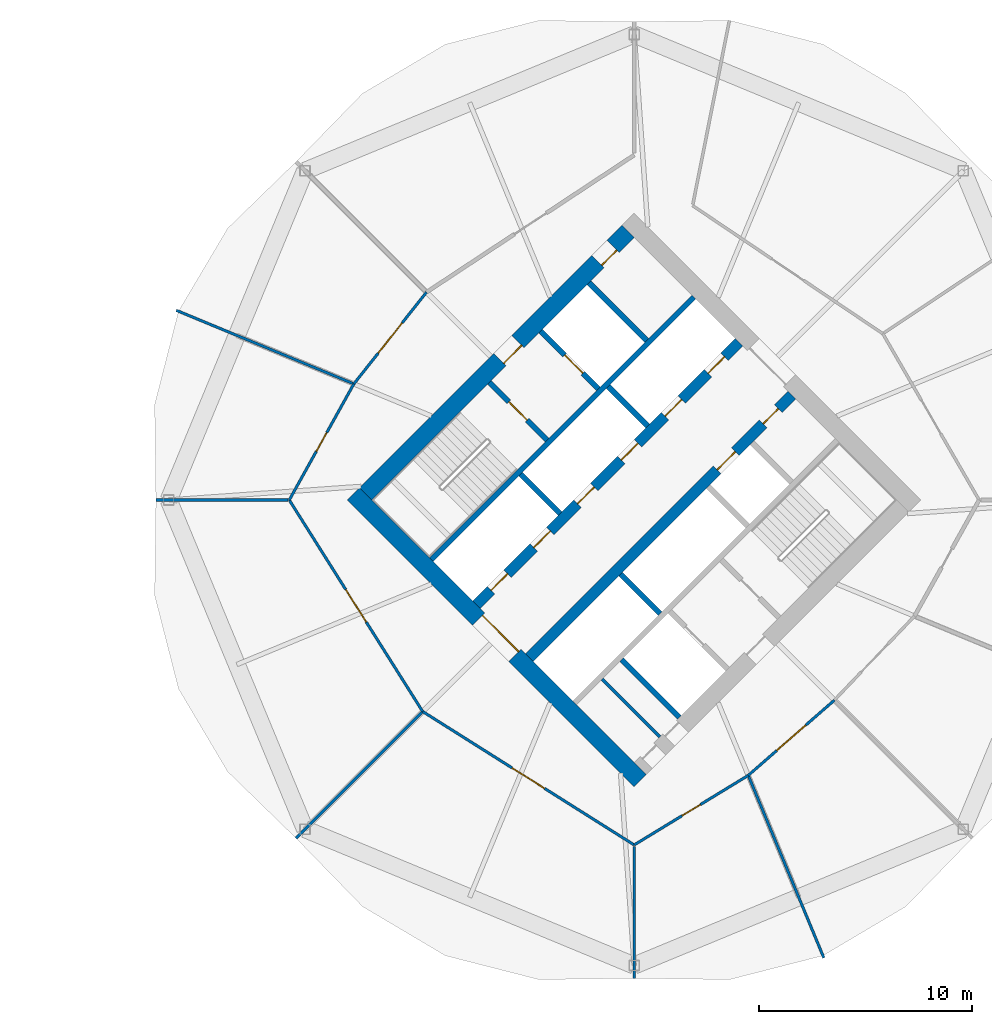
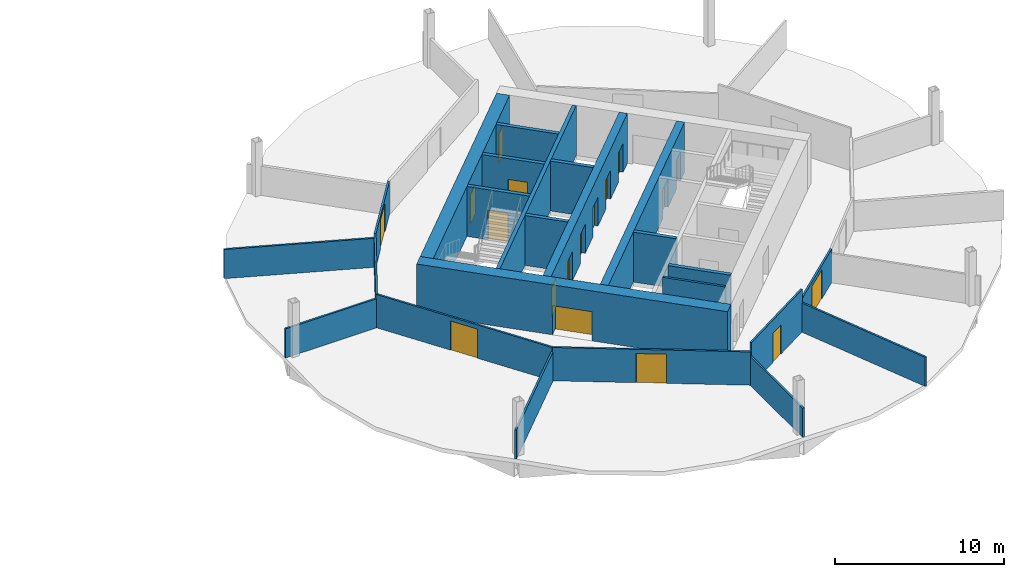
# One storey, part 6 of 9: 24 walls, 19 doors, 19 openings.
"""IFC4 building model written with IfcOpenShell, lengths in metres."""

from ifc_helpers import new_model, si_unit, direction, frame, frame_2d, origin, place, context, subcontext, project, spatial, rectangle, extrude, material, layer, layer_set, type_object, element, fill, save


model = new_model("IFC4")

# Units and contexts
model_context = context("Model", 3, precision=1e-05, world=origin(), true_north=direction((0.0, 1.0)))
body_context = subcontext(model_context, "Body", "Model", "MODEL_VIEW")
ifc_project = project(units=[si_unit("LENGTHUNIT", "METRE"), si_unit("AREAUNIT", "SQUARE_METRE"), si_unit("VOLUMEUNIT", "CUBIC_METRE"), si_unit("PLANEANGLEUNIT", "RADIAN"), si_unit("MASSUNIT", "GRAM", prefix="KILO")], contexts=[model_context])

# Site, building, storey
site_placement = place(None, origin())
site = spatial("IfcSite", under=ifc_project, at=site_placement, CompositionType="ELEMENT")
building_placement = place(site_placement, origin())
building = spatial("IfcBuilding", under=site, at=building_placement, Name="Ogive Gate Towers", CompositionType="ELEMENT")
storey_placement = place(building_placement, frame((0.0, 0.0, 40.199951171875)))
storey = spatial("IfcBuildingStorey", under=building, at=storey_placement, Name="L08", CompositionType="ELEMENT", Elevation=40.199951171875)

# Wall, openings, doors
ifc_material_1 = material(Name="Concrete C60/75", Category="concrete")
ifc_layer_1 = layer(ifc_material_1, 0.800048828125)
ifc_layer_set_1 = layer_set([ifc_layer_1], Name="Core wall 800 mm")
wall_type_1 = type_object("IfcWallType", Name="Core wall 800 mm", PredefinedType="SHEAR", material=ifc_layer_set_1)
wall_1_placement = place(storey_placement, frame((23.41357421875, 0.28271484375, 0.0), z_axis=(0.0, 0.0, 1.0), x_axis=(0.707106781187, 0.707106781187, 0.0)))
wall_1 = element("IfcWall", 1, at=wall_1_placement, inside=storey, type_object=wall_type_1, Name="T2 L08 Core wall 800 mm", PredefinedType="SHEAR", context=body_context, shape_type="SweptSolid", body=[
    extrude(rectangle(XDim=17.400146484375, YDim=0.800048828125, at=frame_2d((8.7001953125, 0.0))), origin(), (0.0, 0.0, 1.0), 3.60009765625),
])
opening_1_placement = place(wall_1_placement, frame((8.89990234375, 0.0, 0.0)))
opening_1 = element("IfcOpeningElement", 2, at=opening_1_placement, cuts=wall_1, Name="Opening KD-T2-L08-15", PredefinedType="OPENING", context=body_context, shape_type="SweptSolid", body=[
    extrude(rectangle(XDim=1.199951171875, YDim=2.10009765625, at=frame_2d((0.60009765625, 1.050048828125))), frame((0.0, 0.41015625, 0.0), z_axis=(0.0, -1.0, 0.0), x_axis=(1.0, 0.0, 0.0)), (0.0, 0.0, 1.0), 0.820068359375),
])
opening_2_placement = place(wall_1_placement, frame((15.39990234375, 0.0, 0.0)))
opening_2 = element("IfcOpeningElement", 3, at=opening_2_placement, cuts=wall_1, Name="Opening KD-T2-L08-17", PredefinedType="OPENING", context=body_context, shape_type="SweptSolid", body=[
    extrude(rectangle(XDim=1.0, YDim=2.10009765625, at=frame_2d((0.5, 1.050048828125))), frame((0.0, 0.41015625, 0.0), z_axis=(0.0, -1.0, 0.0), x_axis=(1.0, 0.0, 0.0)), (0.0, 0.0, 1.0), 0.820068359375),
])
ifc_material_2 = material(Name="Timber door", Category="wood")
door_type_1 = type_object("IfcDoorType", Name="Accessible WC door 1000 x 2100", OperationType="NOTDEFINED", PredefinedType="DOOR", material=ifc_material_2)
door_1_placement = place(opening_2_placement, origin())
door_1 = element("IfcDoor", 4, at=door_1_placement, inside=storey, type_object=door_type_1, Name="T2 L08 Core door", OperationType="SINGLE_SWING_RIGHT", OverallHeight=2.10009765625, OverallWidth=1.0, PredefinedType="DOOR", context=body_context, shape_type="SweptSolid", body=[
    extrude(rectangle(XDim=1.0, YDim=2.10009765625, at=frame_2d((0.5, 1.050048828125))), frame((0.0, -0.22509765625, 0.0), z_axis=(0.0, -1.0, 0.0), x_axis=(1.0, 0.0, 0.0)), (0.0, 0.0, 1.0), 0.050048828125),
])
fill(opening_2, door_1)
ifc_material_3 = material(Name="Steel fire door", Category="steel")
door_type_2 = type_object("IfcDoorType", Name="Core door FD60S 1200 x 2100", OperationType="NOTDEFINED", PredefinedType="DOOR", material=ifc_material_3)
door_2_placement = place(opening_1_placement, origin())
door_2 = element("IfcDoor", 5, at=door_2_placement, inside=storey, type_object=door_type_2, Name="T2 L08 Fire-fighting lobby door", OperationType="SINGLE_SWING_RIGHT", OverallHeight=2.10009765625, OverallWidth=1.199951171875, PredefinedType="DOOR", context=body_context, shape_type="SweptSolid", body=[
    extrude(rectangle(XDim=1.199951171875, YDim=2.10009765625, at=frame_2d((0.60009765625, 1.050048828125))), frame((0.0, -0.22509765625, 0.0), z_axis=(0.0, -1.0, 0.0), x_axis=(1.0, 0.0, 0.0)), (0.0, 0.0, 1.0), 0.050048828125),
])
fill(opening_1, door_2)

# Wall, opening, door
wall_2_placement = place(storey_placement, frame((36.28271484375, -13.152099609375, 0.0), z_axis=(0.0, 0.0, 1.0), x_axis=(-0.707106781187, 0.707106781187, 0.0)))
wall_2 = element("IfcWall", 6, at=wall_2_placement, inside=storey, type_object=wall_type_1, Name="T2 L08 Core wall 800 mm", PredefinedType="SHEAR", context=body_context, shape_type="SweptSolid", body=[
    extrude(rectangle(XDim=18.999755859375, YDim=0.800048828125, at=frame_2d((9.5, 0.0))), origin(), (0.0, 0.0, 1.0), 3.60009765625),
])
opening_3_placement = place(wall_2_placement, frame((8.300048828125, 0.0, 0.0)))
opening_3 = element("IfcOpeningElement", 7, at=opening_3_placement, cuts=wall_2, Name="Opening KD-T2-L08-01", PredefinedType="OPENING", context=body_context, shape_type="SweptSolid", body=[
    extrude(rectangle(XDim=2.39990234375, YDim=2.10009765625, at=frame_2d((1.199951171875, 1.050048828125))), frame((0.0, 0.41015625, 0.0), z_axis=(0.0, -1.0, 0.0), x_axis=(1.0, 0.0, 0.0)), (0.0, 0.0, 1.0), 0.820068359375),
])
door_type_3 = type_object("IfcDoorType", Name="Core double door FD60S 2400 x 2100", OperationType="DOUBLE_DOOR_SINGLE_SWING", PredefinedType="DOOR", material=ifc_material_3)
door_3_placement = place(opening_3_placement, origin())
door_3 = element("IfcDoor", 8, at=door_3_placement, inside=storey, type_object=door_type_3, Name="T2 L08 Core door double", OperationType="DOUBLE_DOOR_SINGLE_SWING", OverallHeight=2.10009765625, OverallWidth=2.39990234375, PredefinedType="DOOR", context=body_context, shape_type="SweptSolid", body=[
    extrude(rectangle(XDim=2.39990234375, YDim=2.10009765625, at=frame_2d((1.199951171875, 1.050048828125))), frame((0.0, -0.22509765625, 0.0), z_axis=(0.0, -1.0, 0.0), x_axis=(1.0, 0.0, 0.0)), (0.0, 0.0, 1.0), 0.050048828125),
])
fill(opening_3, door_3)

# Walls
ifc_material_4 = material(Name="Gypsum board partition")
ifc_layer_2 = layer(ifc_material_4, 0.125)
ifc_layer_set_2 = layer_set([ifc_layer_2], Name="Partition 125")
wall_type_2 = type_object("IfcWallType", Name="Partition 125", PredefinedType="PARTITIONING", material=ifc_layer_set_2)
wall_3_placement = place(storey_placement, frame((14.547119140625, 8.885986328125, 0.0), z_axis=(0.0, 0.0, 1.0), x_axis=(0.923883404606, -0.382674084169, 0.0)))
element("IfcWall", 9, at=wall_3_placement, inside=storey, type_object=wall_type_2, Name="Partition T2-L08-006", PredefinedType="PARTITIONING", context=body_context, shape_type="SweptSolid", body=[
    extrude(rectangle(XDim=8.942626953125, YDim=0.125, at=frame_2d((4.47119140625, 0.0))), origin(), (0.0, 0.0, 1.0), 2.10009765625),
])
wall_4_placement = place(storey_placement, frame((13.591064453125, 0.0, 0.0), z_axis=(0.0, 0.0, 1.0), x_axis=(1.0, 0.0, 0.0)))
element("IfcWall", 10, at=wall_4_placement, inside=storey, type_object=wall_type_2, Name="Partition T2-L08-007", PredefinedType="PARTITIONING", context=body_context, shape_type="SweptSolid", body=[
    extrude(rectangle(XDim=6.1865234375, YDim=0.125, at=frame_2d((3.09326171875, 0.0))), origin(), (0.0, 0.0, 1.0), 2.10009765625),
])
wall_5_placement = place(storey_placement, frame((20.154296875, -15.845703125, 0.0), z_axis=(0.0, 0.0, 1.0), x_axis=(0.707106781187, 0.707106781187, 0.0)))
element("IfcWall", 11, at=wall_5_placement, inside=storey, type_object=wall_type_2, Name="Partition T2-L08-008", PredefinedType="PARTITIONING", context=body_context, shape_type="SweptSolid", body=[
    extrude(rectangle(XDim=8.332763671875, YDim=0.125, at=frame_2d((4.16650390625, 0.0))), origin(), (0.0, 0.0, 1.0), 2.10009765625),
])
wall_6_placement = place(storey_placement, frame((36.0, -22.408935546875, 0.0), z_axis=(0.0, 0.0, 1.0), x_axis=(0.0, 1.0, 0.0)))
element("IfcWall", 12, at=wall_6_placement, inside=storey, type_object=wall_type_2, Name="Partition T2-L08-009", PredefinedType="PARTITIONING", context=body_context, shape_type="SweptSolid", body=[
    extrude(rectangle(XDim=6.1865234375, YDim=0.125, at=frame_2d((3.09326171875, 0.0))), origin(), (0.0, 0.0, 1.0), 2.10009765625),
])
wall_7_placement = place(storey_placement, frame((44.885986328125, -21.452880859375, 0.0), z_axis=(0.0, 0.0, 1.0), x_axis=(-0.382668439305, 0.923885742698, 0.0)))
element("IfcWall", 13, at=wall_7_placement, inside=storey, type_object=wall_type_2, Name="Partition T2-L08-010", PredefinedType="PARTITIONING", context=body_context, shape_type="SweptSolid", body=[
    extrude(rectangle(XDim=9.19287109375, YDim=0.125, at=frame_2d((4.596435546875, 0.0))), origin(), (0.0, 0.0, 1.0), 2.10009765625),
])

# Wall, opening, door
wall_8_placement = place(storey_placement, frame((26.267333984375, 9.732666015625, 0.0), z_axis=(0.0, 0.0, 1.0), x_axis=(-0.620925586951, -0.783869514313, 0.0)))
wall_8 = element("IfcWall", 14, at=wall_8_placement, inside=storey, type_object=wall_type_2, Name="Partition T2-L08-014", PredefinedType="PARTITIONING", context=body_context, shape_type="SweptSolid", body=[
    extrude(rectangle(XDim=5.476318359375, YDim=0.125, at=frame_2d((2.73828125, 0.0))), origin(), (0.0, 0.0, 1.0), 2.400146484375),
])
opening_4_placement = place(wall_8_placement, frame((1.837890625, 0.0, 0.0)))
opening_4 = element("IfcOpeningElement", 15, at=opening_4_placement, cuts=wall_8, Name="Opening T2-L08-D02", PredefinedType="OPENING", context=body_context, shape_type="SweptSolid", body=[
    extrude(rectangle(XDim=1.800048828125, YDim=2.10009765625, at=frame_2d((0.89990234375, 1.050048828125))), frame((0.0, 0.072509765625, 0.0), z_axis=(0.0, -1.0, 0.0), x_axis=(1.0, 0.0, 0.0)), (0.0, 0.0, 1.0), 0.14501953125),
])
door_type_4 = type_object("IfcDoorType", Name="Door pair 1800", OperationType="NOTDEFINED", PredefinedType="DOOR", material=ifc_material_2)
door_4_placement = place(opening_4_placement, origin())
door_4 = element("IfcDoor", 16, at=door_4_placement, inside=storey, type_object=door_type_4, Name="Door T2-L08-D02", OperationType="DOUBLE_DOOR_DOUBLE_SWING", OverallHeight=2.10009765625, OverallWidth=1.800048828125, PredefinedType="DOOR", context=body_context, shape_type="SweptSolid", body=[
    extrude(rectangle(XDim=1.800048828125, YDim=2.10009765625, at=frame_2d((0.89990234375, 1.050048828125))), frame((0.0, 0.02490234375, 0.0), z_axis=(0.0, -1.0, 0.0), x_axis=(1.0, 0.0, 0.0)), (0.0, 0.0, 1.0), 0.050048828125),
])
fill(opening_4, door_4)

wall_9_placement = place(storey_placement, frame((22.866943359375, 5.43994140625, 0.0), z_axis=(0.0, 0.0, 1.0), x_axis=(-0.486215546884, -0.873838910766, 0.0)))
wall_9 = element("IfcWall", 17, at=wall_9_placement, inside=storey, type_object=wall_type_2, Name="Partition T2-L08-015", PredefinedType="PARTITIONING", context=body_context, shape_type="SweptSolid", body=[
    extrude(rectangle(XDim=6.225341796875, YDim=0.125, at=frame_2d((3.11279296875, 0.0))), origin(), (0.0, 0.0, 1.0), 2.400146484375),
])
opening_5_placement = place(wall_9_placement, frame((2.613037109375, 0.0, 0.0)))
opening_5 = element("IfcOpeningElement", 18, at=opening_5_placement, cuts=wall_9, Name="Opening T2-L08-D03", PredefinedType="OPENING", context=body_context, shape_type="SweptSolid", body=[
    extrude(rectangle(XDim=1.0, YDim=2.10009765625, at=frame_2d((0.5, 1.050048828125))), frame((0.0, 0.072509765625, 0.0), z_axis=(0.0, -1.0, 0.0), x_axis=(1.0, 0.0, 0.0)), (0.0, 0.0, 1.0), 0.14501953125),
])
door_type_5 = type_object("IfcDoorType", Name="Door 1000", OperationType="NOTDEFINED", PredefinedType="DOOR", material=ifc_material_2)
door_5_placement = place(opening_5_placement, origin())
door_5 = element("IfcDoor", 19, at=door_5_placement, inside=storey, type_object=door_type_5, Name="Door T2-L08-D03", OperationType="SINGLE_SWING_RIGHT", OverallHeight=2.10009765625, OverallWidth=1.0, PredefinedType="DOOR", context=body_context, shape_type="SweptSolid", body=[
    extrude(rectangle(XDim=1.0, YDim=2.10009765625, at=frame_2d((0.5, 1.050048828125))), frame((0.0, 0.02490234375, 0.0), z_axis=(0.0, -1.0, 0.0), x_axis=(1.0, 0.0, 0.0)), (0.0, 0.0, 1.0), 0.050048828125),
])
fill(opening_5, door_5)

wall_10_placement = place(storey_placement, frame((19.840087890625, 0.0, 0.0), z_axis=(0.0, 0.0, 1.0), x_axis=(0.533498973609, -0.845800712437, 0.0)))
wall_10 = element("IfcWall", 20, at=wall_10_placement, inside=storey, type_object=wall_type_2, Name="Partition T2-L08-016", PredefinedType="PARTITIONING", context=body_context, shape_type="SweptSolid", body=[
    extrude(rectangle(XDim=11.716064453125, YDim=0.125, at=frame_2d((5.85791015625, 0.0))), origin(), (0.0, 0.0, 1.0), 2.400146484375),
])
opening_6_placement = place(wall_10_placement, frame((4.9580078125, 0.0, 0.0)))
opening_6 = element("IfcOpeningElement", 21, at=opening_6_placement, cuts=wall_10, Name="Opening T2-L08-D04", PredefinedType="OPENING", context=body_context, shape_type="SweptSolid", body=[
    extrude(rectangle(XDim=1.800048828125, YDim=2.10009765625, at=frame_2d((0.89990234375, 1.050048828125))), frame((0.0, 0.072509765625, 0.0), z_axis=(0.0, -1.0, 0.0), x_axis=(1.0, 0.0, 0.0)), (0.0, 0.0, 1.0), 0.14501953125),
])
door_6_placement = place(opening_6_placement, origin())
door_6 = element("IfcDoor", 22, at=door_6_placement, inside=storey, type_object=door_type_4, Name="Door T2-L08-D04", OperationType="DOUBLE_DOOR_DOUBLE_SWING", OverallHeight=2.10009765625, OverallWidth=1.800048828125, PredefinedType="DOOR", context=body_context, shape_type="SweptSolid", body=[
    extrude(rectangle(XDim=1.800048828125, YDim=2.10009765625, at=frame_2d((0.89990234375, 1.050048828125))), frame((0.0, 0.02490234375, 0.0), z_axis=(0.0, -1.0, 0.0), x_axis=(1.0, 0.0, 0.0)), (0.0, 0.0, 1.0), 0.050048828125),
])
fill(opening_6, door_6)

wall_11_placement = place(storey_placement, frame((26.090576171875, -9.909423828125, 0.0), z_axis=(0.0, 0.0, 1.0), x_axis=(0.845800712437, -0.533498973609, 0.0)))
wall_11 = element("IfcWall", 23, at=wall_11_placement, inside=storey, type_object=wall_type_2, Name="Partition T2-L08-017", PredefinedType="PARTITIONING", context=body_context, shape_type="SweptSolid", body=[
    extrude(rectangle(XDim=11.716064453125, YDim=0.125, at=frame_2d((5.85791015625, 0.0))), origin(), (0.0, 0.0, 1.0), 2.400146484375),
])
opening_7_placement = place(wall_11_placement, frame((4.9580078125, 0.0, 0.0)))
opening_7 = element("IfcOpeningElement", 24, at=opening_7_placement, cuts=wall_11, Name="Opening T2-L08-D05", PredefinedType="OPENING", context=body_context, shape_type="SweptSolid", body=[
    extrude(rectangle(XDim=1.800048828125, YDim=2.10009765625, at=frame_2d((0.89990234375, 1.050048828125))), frame((0.0, 0.072509765625, 0.0), z_axis=(0.0, -1.0, 0.0), x_axis=(1.0, 0.0, 0.0)), (0.0, 0.0, 1.0), 0.14501953125),
])
door_7_placement = place(opening_7_placement, origin())
door_7 = element("IfcDoor", 25, at=door_7_placement, inside=storey, type_object=door_type_4, Name="Door T2-L08-D05", OperationType="DOUBLE_DOOR_DOUBLE_SWING", OverallHeight=2.10009765625, OverallWidth=1.800048828125, PredefinedType="DOOR", context=body_context, shape_type="SweptSolid", body=[
    extrude(rectangle(XDim=1.800048828125, YDim=2.10009765625, at=frame_2d((0.89990234375, 1.050048828125))), frame((0.0, 0.02490234375, 0.0), z_axis=(0.0, -1.0, 0.0), x_axis=(1.0, 0.0, 0.0)), (0.0, 0.0, 1.0), 0.050048828125),
])
fill(opening_7, door_7)

wall_12_placement = place(storey_placement, frame((36.0, -16.159912109375, 0.0), z_axis=(0.0, 0.0, 1.0), x_axis=(0.853857910754, 0.520506165423, 0.0)))
wall_12 = element("IfcWall", 26, at=wall_12_placement, inside=storey, type_object=wall_type_2, Name="Partition T2-L08-018", PredefinedType="PARTITIONING", context=body_context, shape_type="SweptSolid", body=[
    extrude(rectangle(XDim=6.259033203125, YDim=0.125, at=frame_2d((3.12939453125, 0.0))), origin(), (0.0, 0.0, 1.0), 3.050048828125),
])
opening_8_placement = place(wall_12_placement, frame((2.62890625, 0.0, 0.0)))
opening_8 = element("IfcOpeningElement", 27, at=opening_8_placement, cuts=wall_12, Name="Opening T2-L08-D06", PredefinedType="OPENING", context=body_context, shape_type="SweptSolid", body=[
    extrude(rectangle(XDim=1.0, YDim=2.10009765625, at=frame_2d((0.5, 1.050048828125))), frame((0.0, 0.072509765625, 0.0), z_axis=(0.0, -1.0, 0.0), x_axis=(1.0, 0.0, 0.0)), (0.0, 0.0, 1.0), 0.14501953125),
])
door_8_placement = place(opening_8_placement, origin())
door_8 = element("IfcDoor", 28, at=door_8_placement, inside=storey, type_object=door_type_5, Name="Door T2-L08-D06", OperationType="SINGLE_SWING_LEFT", OverallHeight=2.10009765625, OverallWidth=1.0, PredefinedType="DOOR", context=body_context, shape_type="SweptSolid", body=[
    extrude(rectangle(XDim=1.0, YDim=2.10009765625, at=frame_2d((0.5, 1.050048828125))), frame((0.0, 0.02490234375, 0.0), z_axis=(0.0, -1.0, 0.0), x_axis=(1.0, 0.0, 0.0)), (0.0, 0.0, 1.0), 0.050048828125),
])
fill(opening_8, door_8)

wall_13_placement = place(storey_placement, frame((41.34423828125, -12.902099609375, 0.0), z_axis=(0.0, 0.0, 1.0), x_axis=(0.753279307285, 0.657700756588, 0.0)))
wall_13 = element("IfcWall", 29, at=wall_13_placement, inside=storey, type_object=wall_type_2, Name="Partition T2-L08-019", PredefinedType="PARTITIONING", context=body_context, shape_type="SweptSolid", body=[
    extrude(rectangle(XDim=5.3564453125, YDim=0.125, at=frame_2d((2.67822265625, 0.0))), origin(), (0.0, 0.0, 1.0), 2.400146484375),
])
opening_9_placement = place(wall_13_placement, frame((1.778076171875, 0.0, 0.0)))
opening_9 = element("IfcOpeningElement", 30, at=opening_9_placement, cuts=wall_13, Name="Opening T2-L08-D07", PredefinedType="OPENING", context=body_context, shape_type="SweptSolid", body=[
    extrude(rectangle(XDim=1.800048828125, YDim=2.10009765625, at=frame_2d((0.89990234375, 1.050048828125))), frame((0.0, 0.072509765625, 0.0), z_axis=(0.0, -1.0, 0.0), x_axis=(1.0, 0.0, 0.0)), (0.0, 0.0, 1.0), 0.14501953125),
])
door_9_placement = place(opening_9_placement, origin())
door_9 = element("IfcDoor", 31, at=door_9_placement, inside=storey, type_object=door_type_4, Name="Door T2-L08-D07", OperationType="DOUBLE_DOOR_DOUBLE_SWING", OverallHeight=2.10009765625, OverallWidth=1.800048828125, PredefinedType="DOOR", context=body_context, shape_type="SweptSolid", body=[
    extrude(rectangle(XDim=1.800048828125, YDim=2.10009765625, at=frame_2d((0.89990234375, 1.050048828125))), frame((0.0, 0.02490234375, 0.0), z_axis=(0.0, -1.0, 0.0), x_axis=(1.0, 0.0, 0.0)), (0.0, 0.0, 1.0), 0.050048828125),
])
fill(opening_9, door_9)

# Walls
ifc_layer_3 = layer(ifc_material_4, 0.14990234375)
ifc_layer_set_3 = layer_set([ifc_layer_3], Name="Room partition 150 mm")
wall_type_3 = type_object("IfcWallType", Name="Room partition 150 mm", PredefinedType="PARTITIONING", material=ifc_layer_set_3)
wall_14_placement = place(storey_placement, frame((37.2021484375, -11.1015625, 0.0), z_axis=(0.0, 0.0, 1.0), x_axis=(-0.707138693938, 0.707074866995, 0.0)))
element("IfcWall", 32, at=wall_14_placement, inside=storey, type_object=wall_type_3, Name="T2 L08 Room partition 150 mm", PredefinedType="PARTITIONING", context=body_context, shape_type="SweptSolid", body=[
    extrude(rectangle(XDim=3.824951171875, YDim=0.14990234375, at=frame_2d((1.91259765625, 0.0))), origin(), (0.0, 0.0, 1.0), 3.60009765625),
])
ifc_layer_4 = layer(ifc_material_1, 0.25)
ifc_layer_set_4 = layer_set([ifc_layer_4], Name="Shaft wall 250 mm")
wall_type_4 = type_object("IfcWallType", Name="Shaft wall 250 mm", PredefinedType="SHEAR", material=ifc_layer_set_4)
wall_15_placement = place(storey_placement, frame((26.489501953125, -2.793212890625, 0.0), z_axis=(0.0, 0.0, 1.0), x_axis=(0.707106781187, 0.707106781187, 0.0)))
element("IfcWall", 33, at=wall_15_placement, inside=storey, type_object=wall_type_4, Name="T2 L08 Shaft wall 250 mm", PredefinedType="SHEAR", context=body_context, shape_type="SweptSolid", body=[
    extrude(rectangle(XDim=17.400146484375, YDim=0.25, at=frame_2d((8.7001953125, 0.0))), origin(), (0.0, 0.0, 1.0), 3.60009765625),
])
wall_16_placement = place(storey_placement, frame((38.121337890625, -10.182373046875, 0.0), z_axis=(0.0, 0.0, 1.0), x_axis=(-0.707138693938, 0.707074866995, 0.0)))
element("IfcWall", 34, at=wall_16_placement, inside=storey, type_object=wall_type_4, Name="T2 L08 Shaft wall 250 mm", PredefinedType="SHEAR", context=body_context, shape_type="SweptSolid", body=[
    extrude(rectangle(XDim=3.824951171875, YDim=0.25, at=frame_2d((1.91259765625, 0.0))), origin(), (0.0, 0.0, 1.0), 3.60009765625),
])
for number, where, z_axis, x_axis, name in (
    (35, (37.2197265625, -5.321044921875, 0.0), (0.0, 0.0, 1.0), (-0.707106781187, 0.707106781187, 0.0), "T2 L08 Shaft wall 250 mm"),
    (36, (32.53515625, -0.636474609375, 0.0), (0.0, 0.0, 1.0), (-0.707106781187, 0.707106781187, 0.0), "T2 L08 Shaft wall 250 mm"),
):
    element("IfcWall", number, at=place(storey_placement, frame(where, z_axis=z_axis, x_axis=x_axis)), inside=storey, type_object=wall_type_4, Name=name, PredefinedType="SHEAR", context=body_context, shape_type="SweptSolid", body=[
        extrude(rectangle(XDim=2.625, YDim=0.25, at=frame_2d((1.3125, 0.0))), origin(), (0.0, 0.0, 1.0), 3.60009765625),
    ])

# Wall, opening, door
wall_17_placement = place(storey_placement, frame((31.91650390625, 2.810791015625, 0.0), z_axis=(0.0, 0.0, 1.0), x_axis=(-0.707106781187, 0.707106781187, 0.0)))
wall_17 = element("IfcWall", 37, at=wall_17_placement, inside=storey, type_object=wall_type_4, Name="T2 L08 Shaft wall 250 mm", PredefinedType="SHEAR", context=body_context, shape_type="SweptSolid", body=[
    extrude(rectangle(XDim=3.824951171875, YDim=0.25, at=frame_2d((1.91259765625, 0.0))), origin(), (0.0, 0.0, 1.0), 3.60009765625),
])
opening_10_placement = place(wall_17_placement, frame((1.324951171875, 0.0, 0.0)))
opening_10 = element("IfcOpeningElement", 38, at=opening_10_placement, cuts=wall_17, Name="Opening KD-T2-L08-13", PredefinedType="OPENING", context=body_context, shape_type="SweptSolid", body=[
    extrude(rectangle(XDim=1.199951171875, YDim=2.10009765625, at=frame_2d((0.60009765625, 1.050048828125))), frame((0.0, 0.135009765625, 0.0), z_axis=(0.0, -1.0, 0.0), x_axis=(1.0, 0.0, 0.0)), (0.0, 0.0, 1.0), 0.27001953125),
])
door_10_placement = place(opening_10_placement, origin())
door_10 = element("IfcDoor", 39, at=door_10_placement, inside=storey, type_object=door_type_2, Name="T2 L08 Stair door", OperationType="SINGLE_SWING_RIGHT", OverallHeight=2.10009765625, OverallWidth=1.199951171875, PredefinedType="DOOR", context=body_context, shape_type="SweptSolid", body=[
    extrude(rectangle(XDim=1.199951171875, YDim=2.10009765625, at=frame_2d((0.60009765625, 1.050048828125))), frame((0.0, 0.02490234375, 0.0), z_axis=(0.0, -1.0, 0.0), x_axis=(1.0, 0.0, 0.0)), (0.0, 0.0, 1.0), 0.050048828125),
])
fill(opening_10, door_10)

wall_18_placement = place(storey_placement, frame((34.320556640625, 5.21484375, 0.0), z_axis=(0.0, 0.0, 1.0), x_axis=(-0.707074866995, 0.707138693938, 0.0)))
wall_18 = element("IfcWall", 40, at=wall_18_placement, inside=storey, type_object=wall_type_4, Name="T2 L08 Shaft wall 250 mm", PredefinedType="SHEAR", context=body_context, shape_type="SweptSolid", body=[
    extrude(rectangle(XDim=3.824951171875, YDim=0.25, at=frame_2d((1.91259765625, 0.0))), origin(), (0.0, 0.0, 1.0), 3.60009765625),
])
opening_11_placement = place(wall_18_placement, frame((1.02490234375, 0.0, 0.0)))
opening_11 = element("IfcOpeningElement", 41, at=opening_11_placement, cuts=wall_18, Name="Opening LD-T2-L08-10", PredefinedType="OPENING", context=body_context, shape_type="SweptSolid", body=[
    extrude(rectangle(XDim=1.199951171875, YDim=2.10009765625, at=frame_2d((0.60009765625, 1.050048828125))), frame((0.0, 0.135009765625, 0.0), z_axis=(0.0, -1.0, 0.0), x_axis=(1.0, 0.0, 0.0)), (0.0, 0.0, 1.0), 0.27001953125),
])
ifc_material_5 = material(Name="Stainless steel landing door", Category="steel")
door_type_6 = type_object("IfcDoorType", Name="Landing door 1200 x 2100", OperationType="SLIDING_TO_LEFT", PredefinedType="DOOR", material=ifc_material_5)
door_11_placement = place(opening_11_placement, origin())
door_11 = element("IfcDoor", 42, at=door_11_placement, inside=storey, type_object=door_type_6, Name="T2 L08 Lift landing door FF1", OperationType="SLIDING_TO_LEFT", OverallHeight=2.10009765625, OverallWidth=1.199951171875, PredefinedType="DOOR", context=body_context, shape_type="SweptSolid", body=[
    extrude(rectangle(XDim=1.199951171875, YDim=2.10009765625, at=frame_2d((0.60009765625, 1.050048828125))), frame((0.0, 0.02490234375, 0.0), z_axis=(0.0, -1.0, 0.0), x_axis=(1.0, 0.0, 0.0)), (0.0, 0.0, 1.0), 0.050048828125),
])
fill(opening_11, door_11)

# Walls
wall_19_placement = place(storey_placement, frame((36.636474609375, 3.46484375, 0.0), z_axis=(0.0, 0.0, 1.0), x_axis=(-0.707106781187, 0.707106781187, 0.0)))
element("IfcWall", 43, at=wall_19_placement, inside=storey, type_object=wall_type_4, Name="T2 L08 Shaft wall 250 mm", PredefinedType="SHEAR", context=body_context, shape_type="SweptSolid", body=[
    extrude(rectangle(XDim=2.625, YDim=0.25, at=frame_2d((1.3125, 0.0))), origin(), (0.0, 0.0, 1.0), 3.60009765625),
])
wall_20_placement = place(storey_placement, frame((36.58349609375, 7.477783203125, 0.0), z_axis=(0.0, 0.0, 1.0), x_axis=(-0.707138693938, 0.707074866995, 0.0)))
element("IfcWall", 44, at=wall_20_placement, inside=storey, type_object=wall_type_4, Name="T2 L08 Shaft wall 250 mm", PredefinedType="SHEAR", context=body_context, shape_type="SweptSolid", body=[
    extrude(rectangle(XDim=3.824951171875, YDim=0.25, at=frame_2d((1.91259765625, 0.0))), origin(), (0.0, 0.0, 1.0), 3.60009765625),
])

# Wall, openings, doors
ifc_layer_5 = layer(ifc_material_1, 0.5)
ifc_layer_set_5 = layer_set([ifc_layer_5], Name="Spine wall 500 mm")
wall_type_5 = type_object("IfcWallType", Name="Spine wall 500 mm", PredefinedType="SHEAR", material=ifc_layer_set_5)
wall_21_placement = place(storey_placement, frame((31.085693359375, -7.389404296875, 0.0), z_axis=(0.0, 0.0, 1.0), x_axis=(0.707106781187, 0.707106781187, 0.0)))
wall_21 = element("IfcWall", 45, at=wall_21_placement, inside=storey, type_object=wall_type_5, Name="T2 L08 Spine wall 500 mm", PredefinedType="SHEAR", context=body_context, shape_type="SweptSolid", body=[
    extrude(rectangle(XDim=17.400146484375, YDim=0.5, at=frame_2d((8.7001953125, 0.0))), origin(), (0.0, 0.0, 1.0), 3.60009765625),
])
opening_12_placement = place(wall_21_placement, frame((12.449951171875, 0.0, 0.0)))
opening_12 = element("IfcOpeningElement", 46, at=opening_12_placement, cuts=wall_21, Name="Opening LD-T2-L08-09", PredefinedType="OPENING", context=body_context, shape_type="SweptSolid", body=[
    extrude(rectangle(XDim=1.199951171875, YDim=2.10009765625, at=frame_2d((0.60009765625, 1.050048828125))), frame((0.0, 0.260009765625, 0.0), z_axis=(0.0, -1.0, 0.0), x_axis=(1.0, 0.0, 0.0)), (0.0, 0.0, 1.0), 0.52001953125),
])
opening_13_placement = place(wall_21_placement, frame((15.5, 0.0, 0.0)))
opening_13 = element("IfcOpeningElement", 47, at=opening_13_placement, cuts=wall_21, Name="Opening KD-T2-L08-12", PredefinedType="OPENING", context=body_context, shape_type="SweptSolid", body=[
    extrude(rectangle(XDim=1.0, YDim=2.10009765625, at=frame_2d((0.5, 1.050048828125))), frame((0.0, 0.260009765625, 0.0), z_axis=(0.0, -1.0, 0.0), x_axis=(1.0, 0.0, 0.0)), (0.0, 0.0, 1.0), 0.52001953125),
])
door_type_7 = type_object("IfcDoorType", Name="Core door FD60S 1000 x 2100", OperationType="NOTDEFINED", PredefinedType="DOOR", material=ifc_material_3)
door_12_placement = place(opening_13_placement, origin())
door_12 = element("IfcDoor", 48, at=door_12_placement, inside=storey, type_object=door_type_7, Name="T2 L08 Core door", OperationType="SINGLE_SWING_LEFT", OverallHeight=2.10009765625, OverallWidth=1.0, PredefinedType="DOOR", context=body_context, shape_type="SweptSolid", body=[
    extrude(rectangle(XDim=1.0, YDim=2.10009765625, at=frame_2d((0.5, 1.050048828125))), frame((0.0, 0.02490234375, 0.0), z_axis=(0.0, -1.0, 0.0), x_axis=(1.0, 0.0, 0.0)), (0.0, 0.0, 1.0), 0.050048828125),
])
fill(opening_13, door_12)
door_13_placement = place(opening_12_placement, origin())
door_13 = element("IfcDoor", 49, at=door_13_placement, inside=storey, type_object=door_type_6, Name="T2 L08 Lift landing door SVC", OperationType="SLIDING_TO_LEFT", OverallHeight=2.10009765625, OverallWidth=1.199951171875, PredefinedType="DOOR", context=body_context, shape_type="SweptSolid", body=[
    extrude(rectangle(XDim=1.199951171875, YDim=2.10009765625, at=frame_2d((0.60009765625, 1.050048828125))), frame((0.0, 0.02490234375, 0.0), z_axis=(0.0, -1.0, 0.0), x_axis=(1.0, 0.0, 0.0)), (0.0, 0.0, 1.0), 0.050048828125),
])
fill(opening_12, door_13)

wall_22_placement = place(storey_placement, frame((28.610595703125, -4.914306640625, 0.0), z_axis=(0.0, 0.0, 1.0), x_axis=(0.707106781187, 0.707106781187, 0.0)))
wall_22 = element("IfcWall", 50, at=wall_22_placement, inside=storey, type_object=wall_type_5, Name="T2 L08 Spine wall 500 mm", PredefinedType="SHEAR", context=body_context, shape_type="SweptSolid", body=[
    extrude(rectangle(XDim=17.400146484375, YDim=0.5, at=frame_2d((8.7001953125, 0.0))), origin(), (0.0, 0.0, 1.0), 3.60009765625),
])
opening_14_placement = place(wall_22_placement, frame((0.96240234375, 0.0, 0.0)))
opening_14 = element("IfcOpeningElement", 51, at=opening_14_placement, cuts=wall_22, Name="Opening LD-T2-L08-03", PredefinedType="OPENING", context=body_context, shape_type="SweptSolid", body=[
    extrude(rectangle(XDim=1.10009765625, YDim=2.10009765625, at=frame_2d((0.550048828125, 1.050048828125))), frame((0.0, 0.260009765625, 0.0), z_axis=(0.0, -1.0, 0.0), x_axis=(1.0, 0.0, 0.0)), (0.0, 0.0, 1.0), 0.52001953125),
])
opening_15_placement = place(wall_22_placement, frame((3.800048828125, 0.0, 0.0)))
opening_15 = element("IfcOpeningElement", 52, at=opening_15_placement, cuts=wall_22, Name="Opening LD-T2-L08-04", PredefinedType="OPENING", context=body_context, shape_type="SweptSolid", body=[
    extrude(rectangle(XDim=1.10009765625, YDim=2.10009765625, at=frame_2d((0.550048828125, 1.050048828125))), frame((0.0, 0.260009765625, 0.0), z_axis=(0.0, -1.0, 0.0), x_axis=(1.0, 0.0, 0.0)), (0.0, 0.0, 1.0), 0.52001953125),
])
opening_16_placement = place(wall_22_placement, frame((6.699951171875, 0.0, 0.0)))
opening_16 = element("IfcOpeningElement", 53, at=opening_16_placement, cuts=wall_22, Name="Opening LD-T2-L08-05", PredefinedType="OPENING", context=body_context, shape_type="SweptSolid", body=[
    extrude(rectangle(XDim=1.10009765625, YDim=2.10009765625, at=frame_2d((0.550048828125, 1.050048828125))), frame((0.0, 0.260009765625, 0.0), z_axis=(0.0, -1.0, 0.0), x_axis=(1.0, 0.0, 0.0)), (0.0, 0.0, 1.0), 0.52001953125),
])
opening_17_placement = place(wall_22_placement, frame((9.60009765625, 0.0, 0.0)))
opening_17 = element("IfcOpeningElement", 54, at=opening_17_placement, cuts=wall_22, Name="Opening LD-T2-L08-06", PredefinedType="OPENING", context=body_context, shape_type="SweptSolid", body=[
    extrude(rectangle(XDim=1.10009765625, YDim=2.10009765625, at=frame_2d((0.550048828125, 1.050048828125))), frame((0.0, 0.260009765625, 0.0), z_axis=(0.0, -1.0, 0.0), x_axis=(1.0, 0.0, 0.0)), (0.0, 0.0, 1.0), 0.52001953125),
])
opening_18_placement = place(wall_22_placement, frame((12.5, 0.0, 0.0)))
opening_18 = element("IfcOpeningElement", 55, at=opening_18_placement, cuts=wall_22, Name="Opening LD-T2-L08-07", PredefinedType="OPENING", context=body_context, shape_type="SweptSolid", body=[
    extrude(rectangle(XDim=1.10009765625, YDim=2.10009765625, at=frame_2d((0.550048828125, 1.050048828125))), frame((0.0, 0.260009765625, 0.0), z_axis=(0.0, -1.0, 0.0), x_axis=(1.0, 0.0, 0.0)), (0.0, 0.0, 1.0), 0.52001953125),
])
opening_19_placement = place(wall_22_placement, frame((15.33740234375, 0.0, 0.0)))
opening_19 = element("IfcOpeningElement", 56, at=opening_19_placement, cuts=wall_22, Name="Opening LD-T2-L08-08", PredefinedType="OPENING", context=body_context, shape_type="SweptSolid", body=[
    extrude(rectangle(XDim=1.10009765625, YDim=2.10009765625, at=frame_2d((0.550048828125, 1.050048828125))), frame((0.0, 0.260009765625, 0.0), z_axis=(0.0, -1.0, 0.0), x_axis=(1.0, 0.0, 0.0)), (0.0, 0.0, 1.0), 0.52001953125),
])
door_type_8 = type_object("IfcDoorType", Name="Landing door 1100 x 2100", OperationType="SLIDING_TO_LEFT", PredefinedType="DOOR", material=ifc_material_5)
door_14_placement = place(opening_14_placement, origin())
door_14 = element("IfcDoor", 57, at=door_14_placement, inside=storey, type_object=door_type_8, Name="T2 L08 Lift landing door A1", OperationType="SLIDING_TO_LEFT", OverallHeight=2.10009765625, OverallWidth=1.10009765625, PredefinedType="DOOR", context=body_context, shape_type="SweptSolid", body=[
    extrude(rectangle(XDim=1.10009765625, YDim=2.10009765625, at=frame_2d((0.550048828125, 1.050048828125))), frame((0.0, 0.02490234375, 0.0), z_axis=(0.0, -1.0, 0.0), x_axis=(1.0, 0.0, 0.0)), (0.0, 0.0, 1.0), 0.050048828125),
])
fill(opening_14, door_14)
door_15_placement = place(opening_15_placement, origin())
door_15 = element("IfcDoor", 58, at=door_15_placement, inside=storey, type_object=door_type_8, Name="T2 L08 Lift landing door A2", OperationType="SLIDING_TO_LEFT", OverallHeight=2.10009765625, OverallWidth=1.10009765625, PredefinedType="DOOR", context=body_context, shape_type="SweptSolid", body=[
    extrude(rectangle(XDim=1.10009765625, YDim=2.10009765625, at=frame_2d((0.550048828125, 1.050048828125))), frame((0.0, 0.02490234375, 0.0), z_axis=(0.0, -1.0, 0.0), x_axis=(1.0, 0.0, 0.0)), (0.0, 0.0, 1.0), 0.050048828125),
])
fill(opening_15, door_15)
door_16_placement = place(opening_16_placement, origin())
door_16 = element("IfcDoor", 59, at=door_16_placement, inside=storey, type_object=door_type_8, Name="T2 L08 Lift landing door A3", OperationType="SLIDING_TO_LEFT", OverallHeight=2.10009765625, OverallWidth=1.10009765625, PredefinedType="DOOR", context=body_context, shape_type="SweptSolid", body=[
    extrude(rectangle(XDim=1.10009765625, YDim=2.10009765625, at=frame_2d((0.550048828125, 1.050048828125))), frame((0.0, 0.02490234375, 0.0), z_axis=(0.0, -1.0, 0.0), x_axis=(1.0, 0.0, 0.0)), (0.0, 0.0, 1.0), 0.050048828125),
])
fill(opening_16, door_16)
door_17_placement = place(opening_17_placement, origin())
door_17 = element("IfcDoor", 60, at=door_17_placement, inside=storey, type_object=door_type_8, Name="T2 L08 Lift landing door A4", OperationType="SLIDING_TO_LEFT", OverallHeight=2.10009765625, OverallWidth=1.10009765625, PredefinedType="DOOR", context=body_context, shape_type="SweptSolid", body=[
    extrude(rectangle(XDim=1.10009765625, YDim=2.10009765625, at=frame_2d((0.550048828125, 1.050048828125))), frame((0.0, 0.02490234375, 0.0), z_axis=(0.0, -1.0, 0.0), x_axis=(1.0, 0.0, 0.0)), (0.0, 0.0, 1.0), 0.050048828125),
])
fill(opening_17, door_17)
door_18_placement = place(opening_18_placement, origin())
door_18 = element("IfcDoor", 61, at=door_18_placement, inside=storey, type_object=door_type_8, Name="T2 L08 Lift landing door A5", OperationType="SLIDING_TO_LEFT", OverallHeight=2.10009765625, OverallWidth=1.10009765625, PredefinedType="DOOR", context=body_context, shape_type="SweptSolid", body=[
    extrude(rectangle(XDim=1.10009765625, YDim=2.10009765625, at=frame_2d((0.550048828125, 1.050048828125))), frame((0.0, 0.02490234375, 0.0), z_axis=(0.0, -1.0, 0.0), x_axis=(1.0, 0.0, 0.0)), (0.0, 0.0, 1.0), 0.050048828125),
])
fill(opening_18, door_18)
door_19_placement = place(opening_19_placement, origin())
door_19 = element("IfcDoor", 62, at=door_19_placement, inside=storey, type_object=door_type_8, Name="T2 L08 Lift landing door A6", OperationType="SLIDING_TO_LEFT", OverallHeight=2.10009765625, OverallWidth=1.10009765625, PredefinedType="DOOR", context=body_context, shape_type="SweptSolid", body=[
    extrude(rectangle(XDim=1.10009765625, YDim=2.10009765625, at=frame_2d((0.550048828125, 1.050048828125))), frame((0.0, 0.02490234375, 0.0), z_axis=(0.0, -1.0, 0.0), x_axis=(1.0, 0.0, 0.0)), (0.0, 0.0, 1.0), 0.050048828125),
])
fill(opening_19, door_19)

save(model, "model.ifc")
